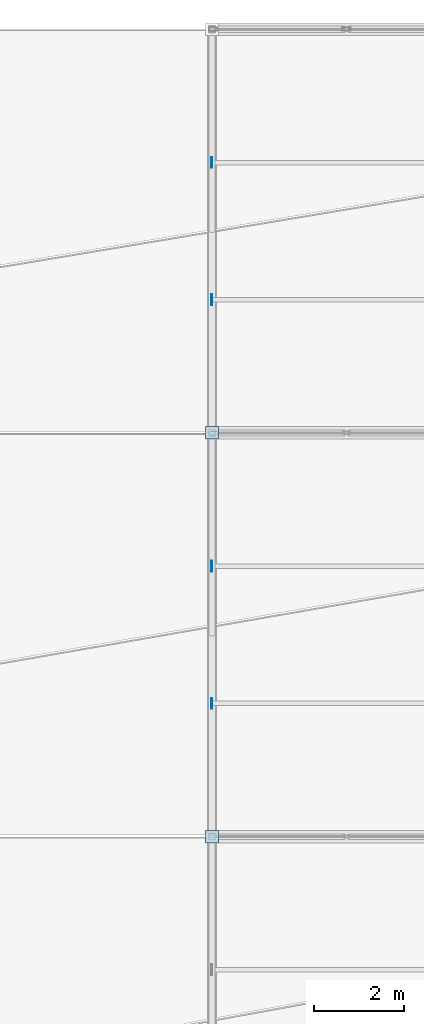
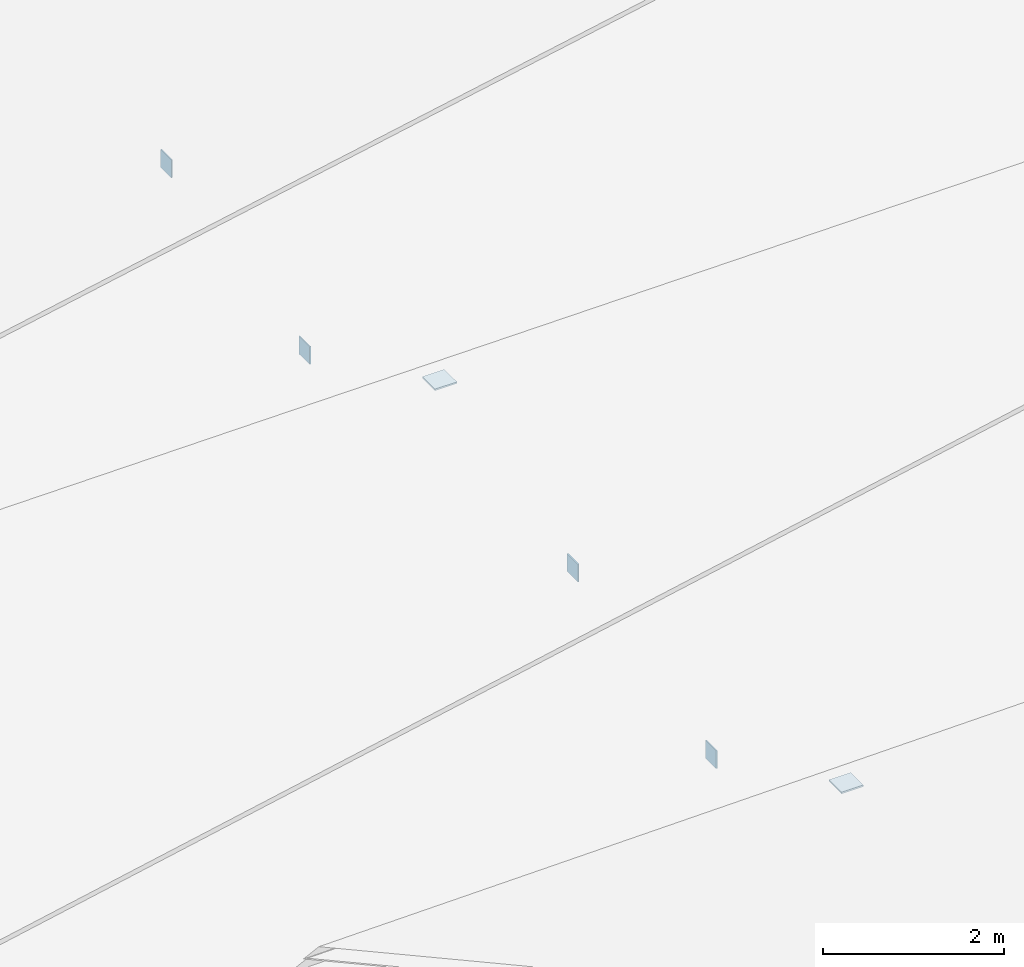
# One storey, part 79 of 103: 6 plates.
"""IFC4 building model written with IfcOpenShell, lengths in metres."""

from ifc_helpers import new_model, si_unit, direction, frame, origin, origin_2d, place, context, subcontext, project, spatial, rectangle, extrude, material, layer, layer_set, type_object, element, save


model = new_model("IFC4")

# Units and contexts
model_context = context("Model", 3, precision=1e-05, world=origin(), true_north=direction((0.0, 1.0)))
body_context = subcontext(model_context, "Body", "Model", "MODEL_VIEW")
ifc_project = project(units=[si_unit("LENGTHUNIT", "METRE"), si_unit("AREAUNIT", "SQUARE_METRE"), si_unit("VOLUMEUNIT", "CUBIC_METRE"), si_unit("PLANEANGLEUNIT", "RADIAN"), si_unit("MASSUNIT", "GRAM", prefix="KILO")], contexts=[model_context])

# Site, building, storey
site_placement = place(None, origin())
site = spatial("IfcSite", under=ifc_project, at=site_placement, CompositionType="ELEMENT")
building_placement = place(site_placement, origin())
building = spatial("IfcBuilding", under=site, at=building_placement, Name="Deido Ridge Mobility Hub", CompositionType="ELEMENT")
storey_placement = place(building_placement, frame((0.0, 0.0, 12.60009765625)))
storey = spatial("IfcBuildingStorey", under=building, at=storey_placement, Name="L03", CompositionType="ELEMENT", Elevation=12.60009765625)

# Plates
ifc_material = material(Name="Steel S355J2 EN 10025-2", Category="steel")
ifc_layer_1 = layer(ifc_material, 0.01611328125, Name="Steel S355J2 EN 10025-2")
ifc_layer_set_1 = layer_set([ifc_layer_1], Name="Steel S355J2 EN 10025-2")
plate_type_1 = type_object("IfcPlateType", Name="PLT-CAP-16", PredefinedType="USERDEFINED", material=ifc_layer_set_1)
for number, where, z_axis, x_axis, name in (
    (1, (26.991943359375, 65.969970703125, 0.4931640625), (0.0, 0.0, 1.0), (1.0, 0.0, 0.0), "Hollow member sealed end-cap plate EC1-214"),
    (2, (26.991943359375, 69.030029296875, 1.15625), (0.0, 0.0, 1.0), (1.0, 0.0, 0.0), "Hollow member sealed end-cap plate EC1-218"),
    (3, (26.991943359375, 74.969970703125, 0.49658203125), (0.0, 0.0, 1.0), (1.0, 0.0, 0.0), "Hollow member sealed end-cap plate EC1-228"),
    (4, (26.991943359375, 78.030029296875, 1.1630859375), (0.0, 0.0, 1.0), (1.0, 0.0, 0.0), "Hollow member sealed end-cap plate EC1-232"),
):
    element("IfcPlate", number, at=place(storey_placement, frame(where, z_axis=z_axis, x_axis=x_axis)), inside=storey, type_object=plate_type_1, Name=name, ObjectType="END CAP PLATE", PredefinedType="USERDEFINED", context=body_context, shape_type="SweptSolid", body=[
        extrude(rectangle(XDim=0.01611328125, YDim=0.239990234375, at=origin_2d()), origin(), (0.0, 0.0, 1.0), 0.239990234375),
    ])
ifc_layer_2 = layer(ifc_material, 0.02197265625, Name="Steel S355J2 EN 10025-2")
ifc_layer_set_2 = layer_set([ifc_layer_2], Name="Steel S355J2 EN 10025-2")
plate_type_2 = type_object("IfcPlateType", Name="PLT-CAP-22", PredefinedType="USERDEFINED", material=ifc_layer_set_2)
for number, where, z_axis, x_axis, name in (
    (5, (27.0, 63.0, 2.009033203125), (0.0, 0.0, 1.0), (1.0, 0.0, 0.0), "Hollow member sealed end-cap plate EC2-196"),
    (6, (27.0, 72.0, 1.9990234375), (0.0, 0.0, 1.0), (1.0, 0.0, 0.0), "Hollow member sealed end-cap plate EC2-209"),
):
    element("IfcPlate", number, at=place(storey_placement, frame(where, z_axis=z_axis, x_axis=x_axis)), inside=storey, type_object=plate_type_2, Name=name, ObjectType="END CAP PLATE", PredefinedType="USERDEFINED", context=body_context, shape_type="SweptSolid", body=[
        extrude(rectangle(XDim=0.280029296875, YDim=0.280029296875, at=origin_2d()), origin(), (0.0, 0.0, 1.0), 0.02197265625),
    ])

save(model, "model.ifc")
